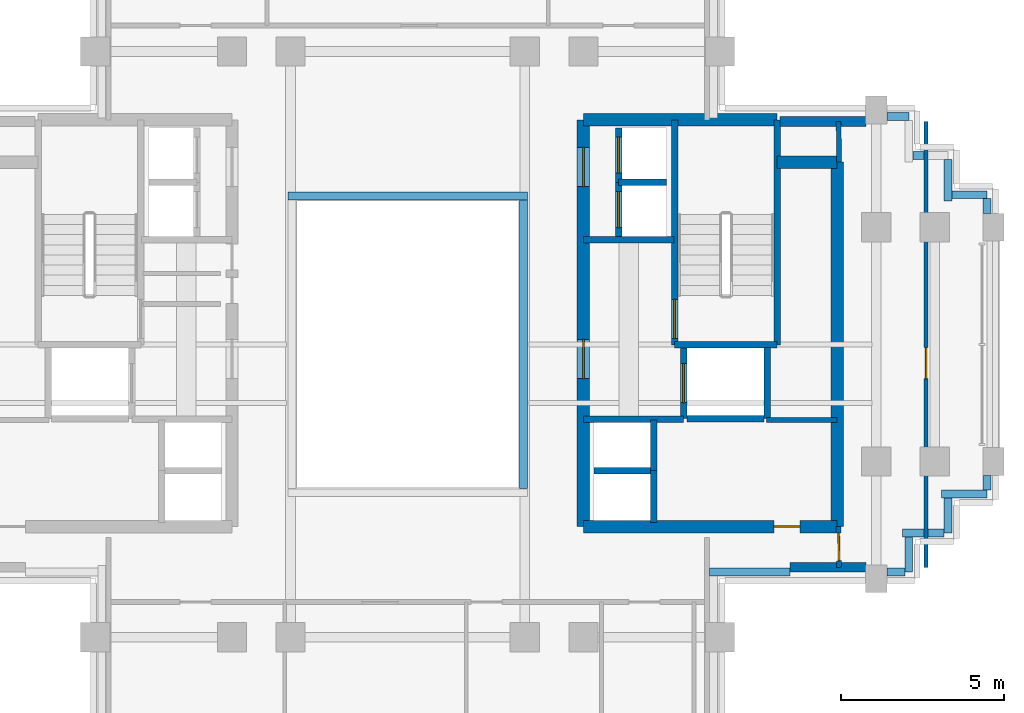
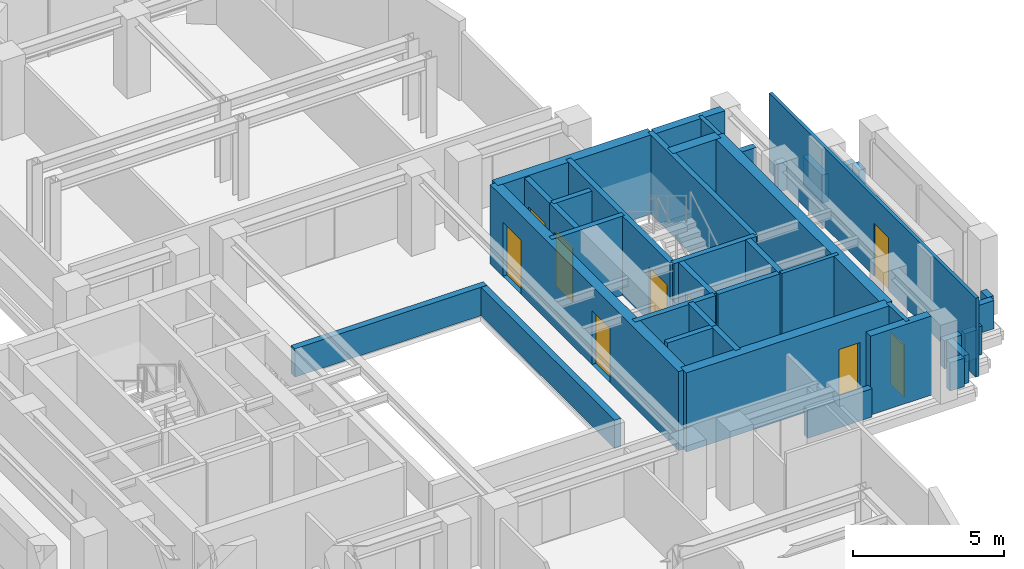
# One storey, part 7 of 11: 40 walls, 9 doors, 9 openings.
"""IFC4 building model written with IfcOpenShell, lengths in metres."""

from ifc_helpers import new_model, si_unit, direction, frame, frame_2d, origin, place, context, subcontext, project, spatial, rectangle, extrude, source, transform, mapped, material, layer, layer_set, type_object, element, fill, save


model = new_model("IFC4")

# Units and contexts
model_context = context("Model", 3, precision=1e-05, world=origin(), true_north=direction((0.0, 1.0)))
body_context = subcontext(model_context, "Body", "Model", "MODEL_VIEW")
ifc_project = project(units=[si_unit("LENGTHUNIT", "METRE"), si_unit("AREAUNIT", "SQUARE_METRE"), si_unit("VOLUMEUNIT", "CUBIC_METRE"), si_unit("PLANEANGLEUNIT", "RADIAN"), si_unit("MASSUNIT", "GRAM", prefix="KILO")], contexts=[model_context])

# Site, building, storey
site_placement = place(None, origin())
site = spatial("IfcSite", under=ifc_project, at=site_placement, CompositionType="ELEMENT")
building_placement = place(site_placement, origin())
building = spatial("IfcBuilding", under=site, at=building_placement, Name="Keilestroom Media Tower", CompositionType="ELEMENT")
storey_placement = place(building_placement, frame((0.0, 0.0, 180.800048828125)))
storey = spatial("IfcBuildingStorey", under=building, at=storey_placement, Name="L49", CompositionType="ELEMENT", Elevation=180.800048828125)

# Walls
ifc_material_1 = material(Name="Precast concrete C40/50", Category="concrete")
ifc_layer_1 = layer(ifc_material_1, 0.300048828125)
ifc_layer_set_1 = layer_set([ifc_layer_1], Name="Precast concrete C40/50")
wall_type_1 = type_object("IfcWallType", Name="Exterior-Masonry-Spandrel-Wall-300", PredefinedType="SOLIDWALL", material=ifc_layer_set_1)
wall_1_placement = place(storey_placement, frame((11.447998046875, 6.85009765625, 0.0), z_axis=(0.0, 0.0, 1.0), x_axis=(1.0, 0.0, 0.0)))
element("IfcWall", 1, at=wall_1_placement, inside=storey, type_object=wall_type_1, Name="L49 Flank Masonry Wall EWL-L49-NE-1", PredefinedType="SOLIDWALL", context=body_context, shape_type="SweptSolid", body=[
    extrude(rectangle(XDim=2.635009765625, YDim=0.300048828125, at=frame_2d((1.3173828125, 0.0))), origin(), (0.0, 0.0, 1.0), 3.199951171875),
])
wall_2_placement = place(storey_placement, frame((11.75, -6.85009765625, 0.0), z_axis=(0.0, 0.0, 1.0), x_axis=(1.0, 0.0, 0.0)))
element("IfcWall", 2, at=wall_2_placement, inside=storey, type_object=wall_type_1, Name="L49 Flank Masonry Wall EWL-L49-SE-1", PredefinedType="SOLIDWALL", context=body_context, shape_type="SweptSolid", body=[
    extrude(rectangle(XDim=2.3330078125, YDim=0.300048828125, at=frame_2d((1.16650390625, 0.0))), origin(), (0.0, 0.0, 1.0), 3.199951171875),
])

# Wall, opening, door
ifc_material_2 = material(Name="Gypsum Plasterboard & Steel Stud", Category="steel")
ifc_layer_2 = layer(ifc_material_2, 0.1201171875)
ifc_layer_set_2 = layer_set([ifc_layer_2], Name="Gypsum Plasterboard & Steel Stud")
wall_type_2 = type_object("IfcWallType", Name="Interior-Partition-Wall-120", PredefinedType="PARTITIONING", material=ifc_layer_set_2)
wall_3_placement = place(storey_placement, frame((15.929931640625, -6.85009765625, 0.0), z_axis=(0.0, 0.0, 1.0), x_axis=(0.0, 1.0, 0.0)))
wall_3 = element("IfcWall", 3, at=wall_3_placement, inside=storey, type_object=wall_type_2, Name="L49 Interior Wall WP-L49-EA-V", PredefinedType="PARTITIONING", context=body_context, shape_type="SweptSolid", body=[
    extrude(rectangle(XDim=13.7001953125, YDim=0.1201171875, at=frame_2d((6.85009765625, 0.0))), origin(), (0.0, 0.0, 1.0), 3.199951171875),
])
opening_1_placement = place(wall_3_placement, frame((5.800048828125, 0.0, 0.0)))
opening_1 = element("IfcOpeningElement", 4, at=opening_1_placement, cuts=wall_3, Name="Opening DI-03", PredefinedType="OPENING", context=body_context, shape_type="SweptSolid", body=[
    extrude(rectangle(XDim=0.949951171875, YDim=2.14990234375, at=frame_2d((0.47509765625, 1.074951171875))), frame((0.0, 0.070068359375, 0.0), z_axis=(0.0, -1.0, 0.0), x_axis=(1.0, 0.0, 0.0)), (0.0, 0.0, 1.0), 0.14013671875),
])
ifc_material_3 = material(Name="Lacquered European Oak Leaf", Category="wood")
door_type_1 = type_object("IfcDoorType", Name="Interior-Room-And-Suite-Door-DI-03", OperationType="NOTDEFINED", PredefinedType="DOOR", material=ifc_material_3)
shared_shape_1 = source(origin(), body_context, "Body", "SweptSolid", [
    extrude(rectangle(XDim=0.949951171875, YDim=2.14990234375, at=frame_2d((0.47509765625, 1.074951171875))), frame((0.0, 0.02490234375, 0.0), z_axis=(0.0, -1.0, 0.0), x_axis=(1.0, 0.0, 0.0)), (0.0, 0.0, 1.0), 0.050048828125),
])
door_1_placement = place(opening_1_placement, origin())
door_1 = element("IfcDoor", 5, at=door_1_placement, inside=storey, type_object=door_type_1, Name="L49 Interior Door DI-L49-DEA-E", OperationType="SINGLE_SWING_RIGHT", OverallHeight=2.14990234375, OverallWidth=0.949951171875, PredefinedType="DOOR", context=body_context, shape_type="MappedRepresentation", body=[
    mapped(shared_shape_1, transform((0.0, 0.0, 0.0), x_axis=(1.0, 0.0, 0.0), y_axis=(0.0, 1.0, 0.0), z_axis=(0.0, 0.0, 1.0), scale=1.0)),
])
fill(opening_1, door_1)

# Walls
ifc_layer_3 = layer(ifc_material_2, 0.14990234375)
ifc_layer_set_3 = layer_set([ifc_layer_3], Name="Gypsum Plasterboard & Steel Stud")
wall_type_3 = type_object("IfcWallType", Name="Interior-Partition-Wall-150", PredefinedType="PARTITIONING", material=ifc_layer_set_3)
wall_4_placement = place(storey_placement, frame((11.02001953125, -2.320068359375, 0.0), z_axis=(0.0, 0.0, 1.0), x_axis=(1.0, 0.0, 0.0)))
element("IfcWall", 6, at=wall_4_placement, inside=storey, type_object=wall_type_3, Name="L49 Interior Wall WP-L49-RECLE-N", PredefinedType="PARTITIONING", context=body_context, shape_type="SweptSolid", body=[
    extrude(rectangle(XDim=2.179931640625, YDim=0.14990234375, at=frame_2d((1.08984375, 0.0))), origin(), (0.0, 0.0, 1.0), 3.199951171875),
])
wall_5_placement = place(storey_placement, frame((13.260009765625, 5.60009765625, 0.0), z_axis=(0.0, 0.0, 1.0), x_axis=(-0.016013571389, 0.999871774545, 0.0)))
element("IfcWall", 7, at=wall_5_placement, inside=storey, type_object=wall_type_3, Name="L49 Interior Wall WP-L49-EA-ENTN", PredefinedType="PARTITIONING", context=body_context, shape_type="SweptSolid", body=[
    extrude(rectangle(XDim=1.250244140625, YDim=0.14990234375, at=frame_2d((0.625, 0.0))), origin(), (0.0, 0.0, 1.0), 3.199951171875),
])

# Wall, opening, door
wall_6_placement = place(storey_placement, frame((13.260009765625, -6.85009765625, 0.0), z_axis=(0.0, 0.0, 1.0), x_axis=(-0.016013571389, 0.999871774545, 0.0)))
wall_6 = element("IfcWall", 8, at=wall_6_placement, inside=storey, type_object=wall_type_3, Name="L49 Interior Wall WP-L49-EA-ENTS", PredefinedType="PARTITIONING", context=body_context, shape_type="SweptSolid", body=[
    extrude(rectangle(XDim=1.250244140625, YDim=0.14990234375, at=frame_2d((0.625, 0.0))), origin(), (0.0, 0.0, 1.0), 3.199951171875),
])
opening_2_placement = place(wall_6_placement, frame((0.199951171875, 0.0, 0.0)))
opening_2 = element("IfcOpeningElement", 9, at=opening_2_placement, cuts=wall_6, Name="Opening DI-05", PredefinedType="OPENING", context=body_context, shape_type="SweptSolid", body=[
    extrude(rectangle(XDim=0.85009765625, YDim=2.10009765625, at=frame_2d((0.425048828125, 1.050048828125))), frame((0.0, 0.0849609375, 0.0), z_axis=(0.0, -1.0, 0.0), x_axis=(1.0, 0.0, 0.0)), (0.0, 0.0, 1.0), 0.169921875),
])
ifc_material_4 = material(Name="Moisture-Resistant Oak Leaf", Category="wood")
door_type_2 = type_object("IfcDoorType", Name="Interior-En-Suite-And-Cupboard-Door-DI-05", OperationType="NOTDEFINED", PredefinedType="DOOR", material=ifc_material_4)
shared_shape_2 = source(origin(), body_context, "Body", "SweptSolid", [
    extrude(rectangle(XDim=0.85009765625, YDim=2.10009765625, at=frame_2d((0.425048828125, 1.050048828125))), frame((0.0, 0.02490234375, 0.0), z_axis=(0.0, -1.0, 0.0), x_axis=(1.0, 0.0, 0.0)), (0.0, 0.0, 1.0), 0.050048828125),
])
door_2_placement = place(opening_2_placement, origin())
door_2 = element("IfcDoor", 10, at=door_2_placement, inside=storey, type_object=door_type_2, Name="L49 Interior Door DI-L49-DEA-W", OperationType="SINGLE_SWING_LEFT", OverallHeight=2.10009765625, OverallWidth=0.85009765625, PredefinedType="DOOR", context=body_context, shape_type="MappedRepresentation", body=[
    mapped(shared_shape_2, transform((0.0, 0.0, 0.0), x_axis=(1.0, 0.0, 0.0), y_axis=(0.0, 1.0, 0.0), z_axis=(0.0, 0.0, 1.0), scale=1.0)),
])
fill(opening_2, door_2)

# Wall
ifc_material_5 = material(Name="Concrete C55/67", Category="concrete")
ifc_layer_4 = layer(ifc_material_5, 0.3798828125)
ifc_layer_set_4 = layer_set([ifc_layer_4], Name="Concrete C55/67")
wall_type_4 = type_object("IfcWallType", Name="Reinforced-Concrete-Core-Shear-Wall-380", PredefinedType="SHEAR", material=ifc_layer_set_4)
wall_7_placement = place(storey_placement, frame((13.199951171875, -5.60009765625, 0.0), z_axis=(0.0, 0.0, 1.0), x_axis=(0.0, 1.0, 0.0)))
element("IfcWall", 11, at=wall_7_placement, inside=storey, type_object=wall_type_4, Name="L49 Core Shear Wall WL-L49-CORE-E-OUT", PredefinedType="SHEAR", context=body_context, shape_type="SweptSolid", body=[
    extrude(rectangle(XDim=11.2001953125, YDim=0.3798828125, at=frame_2d((5.60009765625, 0.0))), origin(), (0.0, 0.0, 1.0), 3.199951171875),
])

# Wall, openings, doors
wall_8_placement = place(storey_placement, frame((5.39990234375, -5.60009765625, 0.0), z_axis=(0.0, 0.0, 1.0), x_axis=(0.0, 1.0, 0.0)))
wall_8 = element("IfcWall", 12, at=wall_8_placement, inside=storey, type_object=wall_type_4, Name="L49 Core Shear Wall WL-L49-CORE-E-IN", PredefinedType="SHEAR", context=body_context, shape_type="SweptSolid", body=[
    extrude(rectangle(XDim=12.5, YDim=0.3798828125, at=frame_2d((6.25, 0.0))), origin(), (0.0, 0.0, 1.0), 3.199951171875),
])
opening_3_placement = place(wall_8_placement, frame((4.550048828125, 0.0, 0.0)))
opening_3 = element("IfcOpeningElement", 13, at=opening_3_placement, cuts=wall_8, Name="Opening DI-02", PredefinedType="OPENING", context=body_context, shape_type="SweptSolid", body=[
    extrude(rectangle(XDim=1.199951171875, YDim=2.199951171875, at=frame_2d((0.60009765625, 1.10009765625))), frame((0.0, 0.199951171875, 0.0), z_axis=(0.0, -1.0, 0.0), x_axis=(1.0, 0.0, 0.0)), (0.0, 0.0, 1.0), 0.39990234375),
])
opening_4_placement = place(wall_8_placement, frame((10.449951171875, 0.0, 0.0)))
opening_4 = element("IfcOpeningElement", 14, at=opening_4_placement, cuts=wall_8, Name="Opening DI-02", PredefinedType="OPENING", context=body_context, shape_type="SweptSolid", body=[
    extrude(rectangle(XDim=1.199951171875, YDim=2.199951171875, at=frame_2d((0.60009765625, 1.10009765625))), frame((0.0, 0.199951171875, 0.0), z_axis=(0.0, -1.0, 0.0), x_axis=(1.0, 0.0, 0.0)), (0.0, 0.0, 1.0), 0.39990234375),
])
ifc_material_6 = material(Name="Powder-Coated Steel Fire Leaf", Category="steel")
door_type_3 = type_object("IfcDoorType", Name="Interior-Compartment-Fire-Door-DI-02", OperationType="NOTDEFINED", PredefinedType="DOOR", material=ifc_material_6)
shared_shape_3 = source(origin(), body_context, "Body", "SweptSolid", [
    extrude(rectangle(XDim=1.199951171875, YDim=2.199951171875, at=frame_2d((0.60009765625, 1.10009765625))), frame((0.0, 0.02490234375, 0.0), z_axis=(0.0, -1.0, 0.0), x_axis=(1.0, 0.0, 0.0)), (0.0, 0.0, 1.0), 0.050048828125),
])
door_3_placement = place(opening_3_placement, origin())
door_3 = element("IfcDoor", 15, at=door_3_placement, inside=storey, type_object=door_type_3, Name="L49 E Firefighting Lobby Door", OperationType="SINGLE_SWING_LEFT", OverallHeight=2.199951171875, OverallWidth=1.199951171875, PredefinedType="DOOR", context=body_context, shape_type="MappedRepresentation", body=[
    mapped(shared_shape_3, transform((0.0, 0.0, 0.0), x_axis=(1.0, 0.0, 0.0), y_axis=(0.0, 1.0, 0.0), z_axis=(0.0, 0.0, 1.0), scale=1.0)),
])
fill(opening_3, door_3)
door_4_placement = place(opening_4_placement, origin())
door_4 = element("IfcDoor", 16, at=door_4_placement, inside=storey, type_object=door_type_3, Name="L49 E High-Rise Lift Lobby Door", OperationType="SINGLE_SWING_RIGHT", OverallHeight=2.199951171875, OverallWidth=1.199951171875, PredefinedType="DOOR", context=body_context, shape_type="MappedRepresentation", body=[
    mapped(shared_shape_3, transform((0.0, 0.0, 0.0), x_axis=(1.0, 0.0, 0.0), y_axis=(0.0, 1.0, 0.0), z_axis=(0.0, 0.0, 1.0), scale=1.0)),
])
fill(opening_4, door_4)

# Walls
wall_9_placement = place(storey_placement, frame((5.39990234375, 6.89990234375, 0.0), z_axis=(0.0, 0.0, 1.0), x_axis=(1.0, 0.0, 0.0)))
element("IfcWall", 17, at=wall_9_placement, inside=storey, type_object=wall_type_4, Name="L49 Core Shear Wall WL-L49-CORE-E-N", PredefinedType="SHEAR", context=body_context, shape_type="SweptSolid", body=[
    extrude(rectangle(XDim=5.9560546875, YDim=0.3798828125, at=frame_2d((2.97802734375, 0.0))), origin(), (0.0, 0.0, 1.0), 3.199951171875),
])
wall_10_placement = place(storey_placement, frame((11.35595703125, 5.60009765625, 0.0), z_axis=(0.0, 0.0, 1.0), x_axis=(1.0, 0.0, 0.0)))
element("IfcWall", 18, at=wall_10_placement, inside=storey, type_object=wall_type_4, Name="L49 Core Shear Wall WL-L49-CNE-N", PredefinedType="SHEAR", context=body_context, shape_type="SweptSolid", body=[
    extrude(rectangle(XDim=1.843994140625, YDim=0.3798828125, at=frame_2d((0.921875, 0.0))), origin(), (0.0, 0.0, 1.0), 3.199951171875),
])

# Wall, opening, door
wall_11_placement = place(storey_placement, frame((5.39990234375, -5.60009765625, 0.0), z_axis=(0.0, 0.0, 1.0), x_axis=(1.0, 0.0, 0.0)))
wall_11 = element("IfcWall", 19, at=wall_11_placement, inside=storey, type_object=wall_type_4, Name="L49 Core Shear Wall WL-L49-CORE-E-S", PredefinedType="SHEAR", context=body_context, shape_type="SweptSolid", body=[
    extrude(rectangle(XDim=7.800048828125, YDim=0.3798828125, at=frame_2d((3.89990234375, 0.0))), origin(), (0.0, 0.0, 1.0), 3.199951171875),
])
opening_5_placement = place(wall_11_placement, frame((5.85009765625, 0.0, 0.0)))
opening_5 = element("IfcOpeningElement", 20, at=opening_5_placement, cuts=wall_11, Name="Opening DI-06", PredefinedType="OPENING", context=body_context, shape_type="SweptSolid", body=[
    extrude(rectangle(XDim=0.800048828125, YDim=2.10009765625, at=frame_2d((0.39990234375, 1.050048828125))), frame((0.0, 0.199951171875, 0.0), z_axis=(0.0, -1.0, 0.0), x_axis=(1.0, 0.0, 0.0)), (0.0, 0.0, 1.0), 0.39990234375),
])
ifc_material_7 = material(Name="Powder-Coated Steel Service Leaf", Category="steel")
door_type_4 = type_object("IfcDoorType", Name="Interior-Riser-Access-Door-DI-06", OperationType="NOTDEFINED", PredefinedType="DOOR", material=ifc_material_7)
shared_shape_4 = source(origin(), body_context, "Body", "SweptSolid", [
    extrude(rectangle(XDim=0.800048828125, YDim=2.10009765625, at=frame_2d((0.39990234375, 1.050048828125))), frame((0.0, 0.02490234375, 0.0), z_axis=(0.0, -1.0, 0.0), x_axis=(1.0, 0.0, 0.0)), (0.0, 0.0, 1.0), 0.050048828125),
])
door_5_placement = place(opening_5_placement, origin())
door_5 = element("IfcDoor", 21, at=door_5_placement, inside=storey, type_object=door_type_4, Name="L49 Reclaimed East Core Room Door", OperationType="SINGLE_SWING_RIGHT", OverallHeight=2.10009765625, OverallWidth=0.800048828125, PredefinedType="DOOR", context=body_context, shape_type="MappedRepresentation", body=[
    mapped(shared_shape_4, transform((0.0, 0.0, 0.0), x_axis=(1.0, 0.0, 0.0), y_axis=(0.0, 1.0, 0.0), z_axis=(0.0, 0.0, 1.0), scale=1.0)),
])
fill(opening_5, door_5)

# Walls
ifc_material_8 = material(Name="Concrete C50/60", Category="concrete")
ifc_layer_5 = layer(ifc_material_8, 0.199951171875)
ifc_layer_set_5 = layer_set([ifc_layer_5], Name="Concrete C50/60")
wall_type_5 = type_object("IfcWallType", Name="Reinforced-Concrete-Shaft-Wall-200", PredefinedType="SOLIDWALL", material=ifc_layer_set_5)
wall_12_placement = place(storey_placement, frame((5.39990234375, 3.219970703125, 0.0), z_axis=(0.0, 0.0, 1.0), x_axis=(1.0, 0.0, 0.0)))
element("IfcWall", 22, at=wall_12_placement, inside=storey, type_object=wall_type_5, Name="L49 Core Shear Wall WL-L49-CORE-E-FFN", PredefinedType="SOLIDWALL", context=body_context, shape_type="SweptSolid", body=[
    extrude(rectangle(XDim=2.780029296875, YDim=0.199951171875, at=frame_2d((1.39013671875, 0.0))), origin(), (0.0, 0.0, 1.0), 3.199951171875),
])
wall_13_placement = place(storey_placement, frame((5.39990234375, -2.300048828125, 0.0), z_axis=(0.0, 0.0, 1.0), x_axis=(1.0, 0.0, 0.0)))
element("IfcWall", 23, at=wall_13_placement, inside=storey, type_object=wall_type_5, Name="L49 Core Shear Wall WL-L49-CORE-E-FFS", PredefinedType="SOLIDWALL", context=body_context, shape_type="SweptSolid", body=[
    extrude(rectangle(XDim=3.080078125, YDim=0.199951171875, at=frame_2d((1.5400390625, 0.0))), origin(), (0.0, 0.0, 1.0), 3.199951171875),
])

# Wall, opening, door
wall_14_placement = place(storey_placement, frame((8.2041015625, -0.01611328125, 0.0), z_axis=(0.0, 0.0, 1.0), x_axis=(0.0, 1.0, 0.0)))
wall_14 = element("IfcWall", 24, at=wall_14_placement, inside=storey, type_object=wall_type_5, Name="L49 Core Shear Wall WL-L49-STW-E-NEAR", PredefinedType="SOLIDWALL", context=body_context, shape_type="SweptSolid", body=[
    extrude(rectangle(XDim=6.916015625, YDim=0.199951171875, at=frame_2d((3.4580078125, 0.0))), origin(), (0.0, 0.0, 1.0), 3.199951171875),
])
opening_6_placement = place(wall_14_placement, frame((0.199951171875, 0.0, 0.0)))
opening_6 = element("IfcOpeningElement", 25, at=opening_6_placement, cuts=wall_14, Name="Opening DI-01S", PredefinedType="OPENING", context=body_context, shape_type="SweptSolid", body=[
    extrude(rectangle(XDim=1.199951171875, YDim=2.199951171875, at=frame_2d((0.60009765625, 1.10009765625))), frame((0.0, 0.10986328125, 0.0), z_axis=(0.0, -1.0, 0.0), x_axis=(1.0, 0.0, 0.0)), (0.0, 0.0, 1.0), 0.219970703125),
])
door_type_5 = type_object("IfcDoorType", Name="Interior-Stair-And-Core-Fire-Door-DI-01", OperationType="NOTDEFINED", PredefinedType="DOOR", material=ifc_material_6)
door_6_placement = place(opening_6_placement, origin())
door_6 = element("IfcDoor", 26, at=door_6_placement, inside=storey, type_object=door_type_5, Name="L49 Escape Stair ST-2 Fire Door", OperationType="SINGLE_SWING_RIGHT", OverallHeight=2.199951171875, OverallWidth=1.199951171875, PredefinedType="DOOR", context=body_context, shape_type="MappedRepresentation", body=[
    mapped(shared_shape_3, transform((0.0, 0.0, 0.0), x_axis=(1.0, 0.0, 0.0), y_axis=(0.0, 1.0, 0.0), z_axis=(0.0, 0.0, 1.0), scale=1.0)),
])
fill(opening_6, door_6)

# Walls
wall_15_placement = place(storey_placement, frame((11.35595703125, -0.01611328125, 0.0), z_axis=(0.0, 0.0, 1.0), x_axis=(0.0, 1.0, 0.0)))
element("IfcWall", 27, at=wall_15_placement, inside=storey, type_object=wall_type_5, Name="L49 Core Shear Wall WL-L49-STW-E-FAR", PredefinedType="SOLIDWALL", context=body_context, shape_type="SweptSolid", body=[
    extrude(rectangle(XDim=6.916015625, YDim=0.199951171875, at=frame_2d((3.4580078125, 0.0))), origin(), (0.0, 0.0, 1.0), 3.199951171875),
])
wall_16_placement = place(storey_placement, frame((8.2041015625, -0.01611328125, 0.0), z_axis=(0.0, 0.0, 1.0), x_axis=(1.0, 0.0, 0.0)))
element("IfcWall", 28, at=wall_16_placement, inside=storey, type_object=wall_type_5, Name="L49 Core Shear Wall WL-L49-STW-E-S", PredefinedType="SOLIDWALL", context=body_context, shape_type="SweptSolid", body=[
    extrude(rectangle(XDim=3.15185546875, YDim=0.199951171875, at=frame_2d((1.575927734375, 0.0))), origin(), (0.0, 0.0, 1.0), 3.199951171875),
])

# Wall, opening, door
wall_17_placement = place(storey_placement, frame((8.47998046875, -2.280029296875, 0.0), z_axis=(0.0, 0.0, 1.0), x_axis=(0.0, 1.0, 0.0)))
wall_17 = element("IfcWall", 29, at=wall_17_placement, inside=storey, type_object=wall_type_5, Name="L49 Core Shear Wall WL-L49-LSH-FFL-2-W", PredefinedType="SOLIDWALL", context=body_context, shape_type="SweptSolid", body=[
    extrude(rectangle(XDim=2.179931640625, YDim=0.199951171875, at=frame_2d((1.08984375, 0.0))), origin(), (0.0, 0.0, 1.0), 3.199951171875),
])
opening_7_placement = place(wall_17_placement, frame((0.489990234375, 0.0, 0.0)))
opening_7 = element("IfcOpeningElement", 30, at=opening_7_placement, cuts=wall_17, Name="Opening LD-02", PredefinedType="OPENING", context=body_context, shape_type="SweptSolid", body=[
    extrude(rectangle(XDim=1.199951171875, YDim=2.199951171875, at=frame_2d((0.60009765625, 1.10009765625))), frame((0.0, 0.10986328125, 0.0), z_axis=(0.0, -1.0, 0.0), x_axis=(1.0, 0.0, 0.0)), (0.0, 0.0, 1.0), 0.219970703125),
])
ifc_material_9 = material(Name="Brushed Stainless Steel Sliding Leaf", Category="steel")
door_type_6 = type_object("IfcDoorType", Name="Lift-Landing-Sliding-Door-LD-02", OperationType="SLIDING_TO_RIGHT", PredefinedType="DOOR", material=ifc_material_9)
door_7_placement = place(opening_7_placement, origin())
door_7 = element("IfcDoor", 31, at=door_7_placement, inside=storey, type_object=door_type_6, Name="L49 Lift FFL-2 Landing Sliding Door", OperationType="SLIDING_TO_RIGHT", OverallHeight=2.199951171875, OverallWidth=1.199951171875, PredefinedType="DOOR", context=body_context, shape_type="MappedRepresentation", body=[
    mapped(shared_shape_3, transform((0.0, 0.0, 0.0), x_axis=(1.0, 0.0, 0.0), y_axis=(0.0, 1.0, 0.0), z_axis=(0.0, 0.0, 1.0), scale=1.0)),
])
fill(opening_7, door_7)

# Walls
wall_18_placement = place(storey_placement, frame((11.050048828125, -2.280029296875, 0.0), z_axis=(0.0, 0.0, 1.0), x_axis=(0.0, 1.0, 0.0)))
element("IfcWall", 32, at=wall_18_placement, inside=storey, type_object=wall_type_5, Name="L49 Core Shear Wall WL-L49-LSH-FFL-2-E", PredefinedType="SOLIDWALL", context=body_context, shape_type="SweptSolid", body=[
    extrude(rectangle(XDim=2.179931640625, YDim=0.199951171875, at=frame_2d((1.08984375, 0.0))), origin(), (0.0, 0.0, 1.0), 3.199951171875),
])
wall_19_placement = place(storey_placement, frame((8.583984375, -2.280029296875, 0.0), z_axis=(0.0, 0.0, 1.0), x_axis=(1.0, 0.0, 0.0)))
element("IfcWall", 33, at=wall_19_placement, inside=storey, type_object=wall_type_5, Name="L49 Core Shear Wall WL-L49-LSH-FFL-2-S", PredefinedType="SOLIDWALL", context=body_context, shape_type="SweptSolid", body=[
    extrude(rectangle(XDim=2.362060546875, YDim=0.199951171875, at=frame_2d((1.18115234375, 0.0))), origin(), (0.0, 0.0, 1.0), 3.199951171875),
])
wall_20_placement = place(storey_placement, frame((7.56005859375, -5.47998046875, 0.0), z_axis=(0.0, 0.0, 1.0), x_axis=(0.0, 1.0, 0.0)))
element("IfcWall", 34, at=wall_20_placement, inside=storey, type_object=wall_type_5, Name="L49 Core Shear Wall WL-L49-LSH-PL-M3-E", PredefinedType="SOLIDWALL", context=body_context, shape_type="SweptSolid", body=[
    extrude(rectangle(XDim=1.60009765625, YDim=0.199951171875, at=frame_2d((0.800048828125, 0.0))), origin(), (0.0, 0.0, 1.0), 3.199951171875),
])
wall_21_placement = place(storey_placement, frame((5.719970703125, -3.8798828125, 0.0), z_axis=(0.0, 0.0, 1.0), x_axis=(1.0, 0.0, 0.0)))
element("IfcWall", 35, at=wall_21_placement, inside=storey, type_object=wall_type_5, Name="L49 Core Shear Wall WL-L49-LSH-PL-M3-N", PredefinedType="SOLIDWALL", context=body_context, shape_type="SweptSolid", body=[
    extrude(rectangle(XDim=1.840087890625, YDim=0.199951171875, at=frame_2d((0.919921875, 0.0))), origin(), (0.0, 0.0, 1.0), 3.199951171875),
])
wall_22_placement = place(storey_placement, frame((7.56005859375, -3.8798828125, 0.0), z_axis=(0.0, 0.0, 1.0), x_axis=(0.0, 1.0, 0.0)))
element("IfcWall", 36, at=wall_22_placement, inside=storey, type_object=wall_type_5, Name="L49 Core Shear Wall WL-L49-LSH-PL-M4-E", PredefinedType="SOLIDWALL", context=body_context, shape_type="SweptSolid", body=[
    extrude(rectangle(XDim=1.559814453125, YDim=0.199951171875, at=frame_2d((0.77978515625, 0.0))), origin(), (0.0, 0.0, 1.0), 3.199951171875),
])

# Wall, opening, door
wall_23_placement = place(storey_placement, frame((6.47998046875, 3.300048828125, 0.0), z_axis=(0.0, 0.0, 1.0), x_axis=(0.0, 1.0, 0.0)))
wall_23 = element("IfcWall", 37, at=wall_23_placement, inside=storey, type_object=wall_type_5, Name="L49 Core Shear Wall WL-L49-LSH-PL-H3-W", PredefinedType="SOLIDWALL", context=body_context, shape_type="SweptSolid", body=[
    extrude(rectangle(XDim=1.679931640625, YDim=0.199951171875, at=frame_2d((0.83984375, 0.0))), origin(), (0.0, 0.0, 1.0), 3.199951171875),
])
opening_8_placement = place(wall_23_placement, frame((0.2900390625, 0.0, 0.0)))
opening_8 = element("IfcOpeningElement", 38, at=opening_8_placement, cuts=wall_23, Name="Opening LD-01", PredefinedType="OPENING", context=body_context, shape_type="SweptSolid", body=[
    extrude(rectangle(XDim=1.10009765625, YDim=2.199951171875, at=frame_2d((0.550048828125, 1.10009765625))), frame((0.0, 0.10986328125, 0.0), z_axis=(0.0, -1.0, 0.0), x_axis=(1.0, 0.0, 0.0)), (0.0, 0.0, 1.0), 0.219970703125),
])
door_type_7 = type_object("IfcDoorType", Name="Lift-Landing-Sliding-Door-LD-01", OperationType="SLIDING_TO_LEFT", PredefinedType="DOOR", material=ifc_material_9)
shared_shape_5 = source(origin(), body_context, "Body", "SweptSolid", [
    extrude(rectangle(XDim=1.10009765625, YDim=2.199951171875, at=frame_2d((0.550048828125, 1.10009765625))), frame((0.0, 0.02490234375, 0.0), z_axis=(0.0, -1.0, 0.0), x_axis=(1.0, 0.0, 0.0)), (0.0, 0.0, 1.0), 0.050048828125),
])
door_8_placement = place(opening_8_placement, origin())
door_8 = element("IfcDoor", 39, at=door_8_placement, inside=storey, type_object=door_type_7, Name="L49 Lift PL-H3 Landing Sliding Door", OperationType="SLIDING_TO_LEFT", OverallHeight=2.199951171875, OverallWidth=1.10009765625, PredefinedType="DOOR", context=body_context, shape_type="MappedRepresentation", body=[
    mapped(shared_shape_5, transform((0.0, 0.0, 0.0), x_axis=(1.0, 0.0, 0.0), y_axis=(0.0, 1.0, 0.0), z_axis=(0.0, 0.0, 1.0), scale=1.0)),
])
fill(opening_8, door_8)

# Wall
wall_24_placement = place(storey_placement, frame((6.47998046875, 4.97998046875, 0.0), z_axis=(0.0, 0.0, 1.0), x_axis=(1.0, 0.0, 0.0)))
element("IfcWall", 40, at=wall_24_placement, inside=storey, type_object=wall_type_5, Name="L49 Core Shear Wall WL-L49-LSH-PL-H3-N", PredefinedType="SOLIDWALL", context=body_context, shape_type="SweptSolid", body=[
    extrude(rectangle(XDim=1.469970703125, YDim=0.199951171875, at=frame_2d((0.73486328125, 0.0))), origin(), (0.0, 0.0, 1.0), 3.199951171875),
])

# Wall, opening, door
wall_25_placement = place(storey_placement, frame((6.47998046875, 4.97998046875, 0.0), z_axis=(0.0, 0.0, 1.0), x_axis=(0.0, 1.0, 0.0)))
wall_25 = element("IfcWall", 41, at=wall_25_placement, inside=storey, type_object=wall_type_5, Name="L49 Core Shear Wall WL-L49-LSH-PL-H4-W", PredefinedType="SOLIDWALL", context=body_context, shape_type="SweptSolid", body=[
    extrude(rectangle(XDim=1.669921875, YDim=0.199951171875, at=frame_2d((0.8349609375, 0.0))), origin(), (0.0, 0.0, 1.0), 3.199951171875),
])
opening_9_placement = place(wall_25_placement, frame((0.284912109375, 0.0, 0.0)))
opening_9 = element("IfcOpeningElement", 42, at=opening_9_placement, cuts=wall_25, Name="Opening LD-01", PredefinedType="OPENING", context=body_context, shape_type="SweptSolid", body=[
    extrude(rectangle(XDim=1.10009765625, YDim=2.199951171875, at=frame_2d((0.550048828125, 1.10009765625))), frame((0.0, 0.10986328125, 0.0), z_axis=(0.0, -1.0, 0.0), x_axis=(1.0, 0.0, 0.0)), (0.0, 0.0, 1.0), 0.219970703125),
])
door_9_placement = place(opening_9_placement, origin())
door_9 = element("IfcDoor", 43, at=door_9_placement, inside=storey, type_object=door_type_7, Name="L49 Lift PL-H4 Landing Sliding Door", OperationType="SLIDING_TO_LEFT", OverallHeight=2.199951171875, OverallWidth=1.10009765625, PredefinedType="DOOR", context=body_context, shape_type="MappedRepresentation", body=[
    mapped(shared_shape_5, transform((0.0, 0.0, 0.0), x_axis=(1.0, 0.0, 0.0), y_axis=(0.0, 1.0, 0.0), z_axis=(0.0, 0.0, 1.0), scale=1.0)),
])
fill(opening_9, door_9)

# Walls
ifc_layer_6 = layer(ifc_material_1, 0.239990234375)
ifc_layer_set_6 = layer_set([ifc_layer_6], Name="Precast concrete C40/50")
wall_type_6 = type_object("IfcWallType", Name="Roof-And-Terrace-Parapet-Wall-240", PredefinedType="PARAPET", material=ifc_layer_set_6)
wall_26_placement = place(storey_placement, frame((17.800048828125, -4.60009765625, 0.0), z_axis=(0.0, 0.0, 1.0), x_axis=(-1.0, 0.0, 0.0)))
element("IfcWall", 44, at=wall_26_placement, inside=storey, type_object=wall_type_6, Name="L49 Perimeter Edge Parapet Wall 01", PredefinedType="PARAPET", context=body_context, shape_type="SweptSolid", body=[
    extrude(rectangle(XDim=1.400146484375, YDim=0.239990234375, at=frame_2d((0.7001953125, 0.0))), origin(), (0.0, 0.0, 1.0), 1.14990234375),
])
wall_27_placement = place(storey_placement, frame((16.60009765625, -4.722900390625, 0.0), z_axis=(0.0, 0.0, 1.0), x_axis=(0.0, -1.0, 0.0)))
element("IfcWall", 45, at=wall_27_placement, inside=storey, type_object=wall_type_6, Name="L49 Perimeter Edge Parapet Wall 02", PredefinedType="PARAPET", context=body_context, shape_type="SweptSolid", body=[
    extrude(rectangle(XDim=1.0771484375, YDim=0.239990234375, at=frame_2d((0.53857421875, 0.0))), origin(), (0.0, 0.0, 1.0), 1.14990234375),
])
wall_28_placement = place(storey_placement, frame((16.47705078125, -5.800048828125, 0.0), z_axis=(0.0, 0.0, 1.0), x_axis=(-1.0, 0.0, 0.0)))
element("IfcWall", 46, at=wall_28_placement, inside=storey, type_object=wall_type_6, Name="L49 Perimeter Edge Parapet Wall 03", PredefinedType="PARAPET", context=body_context, shape_type="SweptSolid", body=[
    extrude(rectangle(XDim=0.484130859375, YDim=0.239990234375, at=frame_2d((0.2421875, 0.0))), origin(), (0.0, 0.0, 1.0), 1.14990234375),
])
wall_29_placement = place(storey_placement, frame((15.866943359375, -5.800048828125, 0.0), z_axis=(0.0, 0.0, 1.0), x_axis=(-1.0, 0.0, 0.0)))
element("IfcWall", 47, at=wall_29_placement, inside=storey, type_object=wall_type_6, Name="L49 Perimeter Edge Parapet Wall 04", PredefinedType="PARAPET", context=body_context, shape_type="SweptSolid", body=[
    extrude(rectangle(XDim=0.6669921875, YDim=0.239990234375, at=frame_2d((0.33349609375, 0.0))), origin(), (0.0, 0.0, 1.0), 1.14990234375),
])
wall_30_placement = place(storey_placement, frame((15.39990234375, -5.923095703125, 0.0), z_axis=(0.0, 0.0, 1.0), x_axis=(0.0, -1.0, 0.0)))
element("IfcWall", 48, at=wall_30_placement, inside=storey, type_object=wall_type_6, Name="L49 Perimeter Edge Parapet Wall 05", PredefinedType="PARAPET", context=body_context, shape_type="SweptSolid", body=[
    extrude(rectangle(XDim=1.076904296875, YDim=0.239990234375, at=frame_2d((0.53857421875, 0.0))), origin(), (0.0, 0.0, 1.0), 1.14990234375),
])
wall_31_placement = place(storey_placement, frame((15.277099609375, -7.0, 0.0), z_axis=(0.0, 0.0, 1.0), x_axis=(-1.0, 0.0, 0.0)))
element("IfcWall", 49, at=wall_31_placement, inside=storey, type_object=wall_type_6, Name="L49 Perimeter Edge Parapet Wall 06", PredefinedType="PARAPET", context=body_context, shape_type="SweptSolid", body=[
    extrude(rectangle(XDim=0.549072265625, YDim=0.239990234375, at=frame_2d((0.2744140625, 0.0))), origin(), (0.0, 0.0, 1.0), 1.14990234375),
])
wall_32_placement = place(storey_placement, frame((11.7470703125, -7.0, 0.0), z_axis=(0.0, 0.0, 1.0), x_axis=(-1.0, 0.0, 0.0)))
element("IfcWall", 50, at=wall_32_placement, inside=storey, type_object=wall_type_6, Name="L49 Perimeter Edge Parapet Wall 07", PredefinedType="PARAPET", context=body_context, shape_type="SweptSolid", body=[
    extrude(rectangle(XDim=2.468994140625, YDim=0.239990234375, at=frame_2d((1.234375, 0.0))), origin(), (0.0, 0.0, 1.0), 1.14990234375),
])
wall_33_placement = place(storey_placement, frame((14.72802734375, 7.0, 0.0), z_axis=(0.0, 0.0, 1.0), x_axis=(1.0, 0.0, 0.0)))
element("IfcWall", 51, at=wall_33_placement, inside=storey, type_object=wall_type_6, Name="L49 Perimeter Edge Parapet Wall 31", PredefinedType="PARAPET", context=body_context, shape_type="SweptSolid", body=[
    extrude(rectangle(XDim=0.671875, YDim=0.239990234375, at=frame_2d((0.3359375, 0.0))), origin(), (0.0, 0.0, 1.0), 1.14990234375),
])
wall_34_placement = place(storey_placement, frame((15.52294921875, 5.800048828125, 0.0), z_axis=(0.0, 0.0, 1.0), x_axis=(1.0, 0.0, 0.0)))
element("IfcWall", 52, at=wall_34_placement, inside=storey, type_object=wall_type_6, Name="L49 Perimeter Edge Parapet Wall 33", PredefinedType="PARAPET", context=body_context, shape_type="SweptSolid", body=[
    extrude(rectangle(XDim=0.343994140625, YDim=0.239990234375, at=frame_2d((0.171875, 0.0))), origin(), (0.0, 0.0, 1.0), 1.14990234375),
])
wall_35_placement = place(storey_placement, frame((16.60009765625, 5.677001953125, 0.0), z_axis=(0.0, 0.0, 1.0), x_axis=(0.0, -1.0, 0.0)))
element("IfcWall", 53, at=wall_35_placement, inside=storey, type_object=wall_type_6, Name="L49 Perimeter Edge Parapet Wall 35", PredefinedType="PARAPET", context=body_context, shape_type="SweptSolid", body=[
    extrude(rectangle(XDim=1.277099609375, YDim=0.239990234375, at=frame_2d((0.638671875, 0.0))), origin(), (0.0, 0.0, 1.0), 1.14990234375),
])
wall_36_placement = place(storey_placement, frame((16.722900390625, 4.60009765625, 0.0), z_axis=(0.0, 0.0, 1.0), x_axis=(1.0, 0.0, 0.0)))
element("IfcWall", 54, at=wall_36_placement, inside=storey, type_object=wall_type_6, Name="L49 Perimeter Edge Parapet Wall 36", PredefinedType="PARAPET", context=body_context, shape_type="SweptSolid", body=[
    extrude(rectangle(XDim=1.0771484375, YDim=0.239990234375, at=frame_2d((0.53857421875, 0.0))), origin(), (0.0, 0.0, 1.0), 1.14990234375),
])
for number, where, z_axis, x_axis, name in (
    (55, (17.800048828125, 4.47705078125, 0.0), (0.0, 0.0, 1.0), (0.0, -1.0, 0.0), "L49 Perimeter Edge Parapet Wall 37"),
    (56, (17.800048828125, -4.028076171875, 0.0), (0.0, 0.0, 1.0), (0.0, -1.0, 0.0), "L49 Perimeter Edge Parapet Wall 38"),
):
    element("IfcWall", number, at=place(storey_placement, frame(where, z_axis=z_axis, x_axis=x_axis)), inside=storey, type_object=wall_type_6, Name=name, PredefinedType="PARAPET", context=body_context, shape_type="SweptSolid", body=[
        extrude(rectangle(XDim=0.448974609375, YDim=0.239990234375, at=frame_2d((0.224609375, 0.0))), origin(), (0.0, 0.0, 1.0), 1.14990234375),
    ])
wall_37_placement = place(storey_placement, frame((-3.679931640625, 4.56005859375, 0.0), z_axis=(0.0, 0.0, 1.0), x_axis=(1.0, 0.0, 0.0)))
element("IfcWall", 57, at=wall_37_placement, inside=storey, type_object=wall_type_6, Name="L49 Central Atrium Guard Parapet N", PredefinedType="PARAPET", context=body_context, shape_type="SweptSolid", body=[
    extrude(rectangle(XDim=7.35986328125, YDim=0.239990234375, at=frame_2d((3.679931640625, 0.0))), origin(), (0.0, 0.0, 1.0), 1.14990234375),
])
wall_38_placement = place(storey_placement, frame((3.56005859375, -4.43505859375, 0.0), z_axis=(0.0, 0.0, 1.0), x_axis=(0.0, 1.0, 0.0)))
element("IfcWall", 58, at=wall_38_placement, inside=storey, type_object=wall_type_6, Name="L49 Central Atrium Guard Parapet E", PredefinedType="PARAPET", context=body_context, shape_type="SweptSolid", body=[
    extrude(rectangle(XDim=8.8701171875, YDim=0.239990234375, at=frame_2d((4.43505859375, 0.0))), origin(), (0.0, 0.0, 1.0), 1.14990234375),
])

save(model, "model.ifc")
